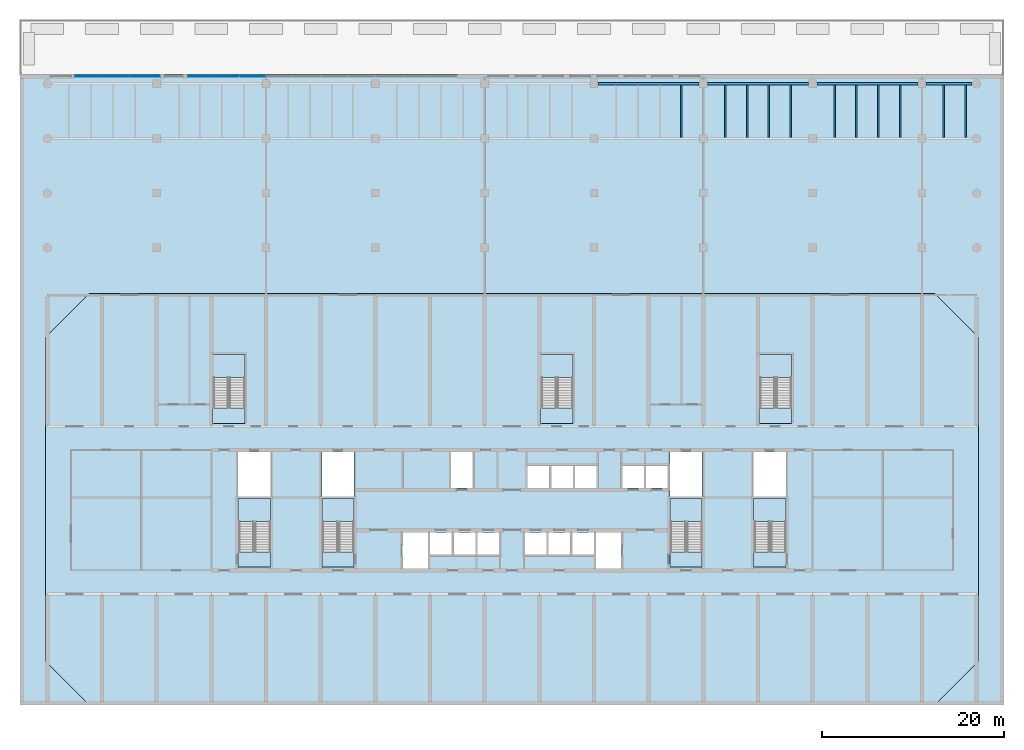
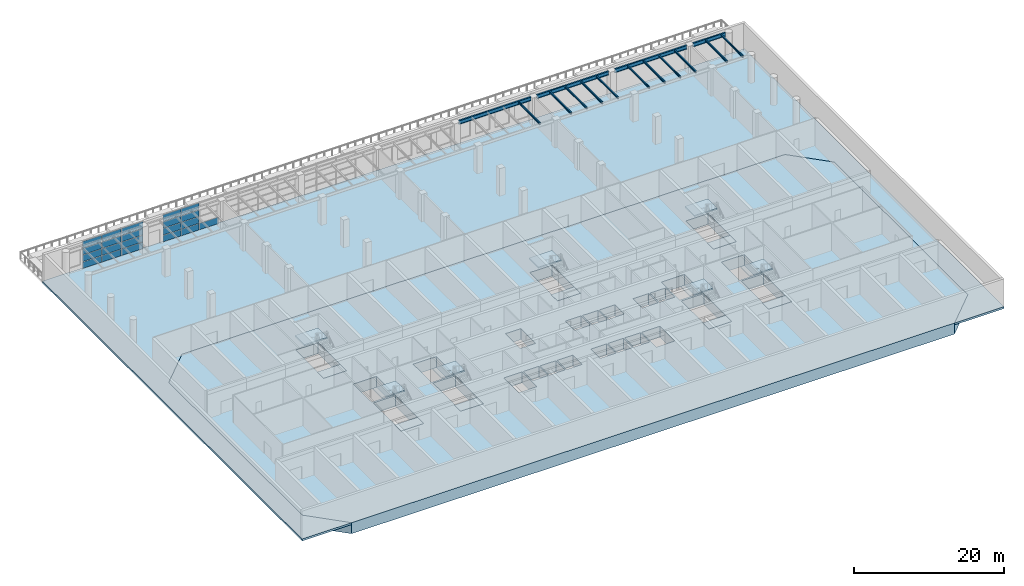
# One storey, part 4 of 20: 21 plates, 16 slabs, 15 beams, 11 elements without a shape of their own.
"""IFC4 building model written with IfcOpenShell, lengths in metres."""

import ifcopenshell
import ifcopenshell.guid

model = None  # the IFC model being written
_history = None  # IfcOwnerHistory: only IFC2X3 demands one
_inside = {}  # id of a spatial element -> (the spatial element, [elements in it])
_under = {}  # id of a project, library or spatial element -> (it, [spatial elements below it])
_declared = {}  # id of a project -> (the project, [libraries it declares])
_typed = {}  # id of a type object -> (the type object, [elements of that type])
_made_of = {}  # id of a material, layer set ... -> (it, [elements and type objects made of it])


def new_model(schema):
    """Start an empty IFC model of exactly this schema.

    Asked for "IFC4X3", IfcOpenShell would pick the latest addendum, in which some entities
    have other attributes; the version numbers below select the first issue.
    IFC2X3 requires an IfcOwnerHistory on every rooted entity: one is made here for all.
    """
    global model, _history
    if schema == "IFC4X3":
        model = ifcopenshell.file(schema_version=(4, 3, 0, 0))
    else:
        model = ifcopenshell.file(schema=schema)
    _inside.clear()
    _under.clear()
    _declared.clear()
    _typed.clear()
    _made_of.clear()
    _history = None
    if model.schema == "IFC2X3":
        org = make("IfcOrganization", Name="unknown")
        user = make(
            "IfcPersonAndOrganization",
            ThePerson=make("IfcPerson", FamilyName="unknown"),
            TheOrganization=org,
        )
        app = make(
            "IfcApplication",
            ApplicationDeveloper=org,
            Version="unknown",
            ApplicationFullName="unknown",
            ApplicationIdentifier="unknown",
        )
        _history = make(
            "IfcOwnerHistory",
            OwningUser=user,
            OwningApplication=app,
            ChangeAction="ADDED",
            CreationDate=0,
        )
    return model


def make(cls, **values):
    """One entity of the class cls with the attributes given. An attribute that is None is left unset."""
    return model.create_entity(
        cls, **{name: value for name, value in values.items() if value is not None}
    )


def rooted(cls, **values):
    """An entity with a GlobalId (a new one), such as an element, a storey or a relation."""
    return make(cls, GlobalId=ifcopenshell.guid.new(), OwnerHistory=_history, **values)


def si_unit(unit_type, name, prefix=None):
    """IfcSIUnit, for example si_unit("LENGTHUNIT", "METRE", prefix="MILLI")."""
    return make("IfcSIUnit", UnitType=unit_type, Prefix=prefix, Name=name)


def assignment(units):
    """IfcUnitAssignment: the units of a project."""
    return None if units is None else make("IfcUnitAssignment", Units=units)


def point(xyz):
    """IfcCartesianPoint."""
    return None if xyz is None else make("IfcCartesianPoint", Coordinates=xyz)


def direction(xyz):
    """IfcDirection."""
    return None if xyz is None else make("IfcDirection", DirectionRatios=xyz)


def frame(location, z_axis=None, x_axis=None):
    """IfcAxis2Placement3D, a coordinate frame: its origin and axes. An axis left out is left unset."""
    return make(
        "IfcAxis2Placement3D",
        Location=point(location),
        Axis=direction(z_axis),
        RefDirection=direction(x_axis),
    )


def frame_2d(location, x_axis=None):
    """IfcAxis2Placement2D, a coordinate frame in the plane: its origin and x axis."""
    return make(
        "IfcAxis2Placement2D", Location=point(location), RefDirection=direction(x_axis)
    )


def origin():
    """The frame at (0, 0, 0) with its axes left unset."""
    return frame((0.0, 0.0, 0.0))


def origin_2d():
    """The frame at (0, 0) in the plane with its x axis left unset."""
    return frame_2d((0.0, 0.0))


def place(relative_to, where):
    """IfcLocalPlacement: puts the frame where relative to a parent placement (None: the world)."""
    return make(
        "IfcLocalPlacement", PlacementRelTo=relative_to, RelativePlacement=where
    )


def context(
    kind, dimensions, precision=None, world=None, true_north=None, identifier=None
):
    """IfcGeometricRepresentationContext, for example the 3D "Model" context."""
    return make(
        "IfcGeometricRepresentationContext",
        ContextIdentifier=identifier,
        ContextType=kind,
        CoordinateSpaceDimension=dimensions,
        Precision=precision,
        WorldCoordinateSystem=world,
        TrueNorth=true_north,
    )


def subcontext(parent, identifier, kind, view, scale=None):
    """IfcGeometricRepresentationSubContext, for example "Body" below "Model"."""
    return make(
        "IfcGeometricRepresentationSubContext",
        ContextIdentifier=identifier,
        ContextType=kind,
        ParentContext=parent,
        TargetScale=scale,
        TargetView=view,
    )


def project(units=None, contexts=None):
    """IfcProject with its units and contexts."""
    return rooted(
        "IfcProject",
        Name="project",
        RepresentationContexts=contexts,
        UnitsInContext=assignment(units),
    )


def spatial(cls, under=None, at=None, **own):
    """A site, building, storey or space (cls), placed at a placement, below another one or the project."""
    s = rooted(cls, ObjectPlacement=at, **own)
    if under is not None:
        _under.setdefault(under.id(), (under, []))[1].append(s)
    return s


def polyline(points):
    """IfcPolyline through the points."""
    return make("IfcPolyline", Points=[point(p) for p in points])


def profile(cls, at=None, kind="AREA", **sizes):
    """A parametric profile (cls). Its sizes go by their IFC names, for example OverallWidth=200.0."""
    return make(cls, ProfileType=kind, Position=at, **sizes)


def rectangle(**sizes):
    """IfcRectangleProfileDef."""
    return profile("IfcRectangleProfileDef", **sizes)


def i_section(**sizes):
    """IfcIShapeProfileDef."""
    return profile("IfcIShapeProfileDef", **sizes)


def outline(outer, holes=None, kind="AREA"):
    """IfcArbitraryClosedProfileDef: a profile drawn as a closed curve; with holes, ...WithVoids."""
    if holes is None:
        return make("IfcArbitraryClosedProfileDef", ProfileType=kind, OuterCurve=outer)
    return make(
        "IfcArbitraryProfileDefWithVoids",
        ProfileType=kind,
        OuterCurve=outer,
        InnerCurves=holes,
    )


def extrude(swept, where, along, depth):
    """IfcExtrudedAreaSolid: the profile swept, set in the frame where, extruded along a direction by depth."""
    return make(
        "IfcExtrudedAreaSolid",
        SweptArea=swept,
        Position=where,
        ExtrudedDirection=direction(along),
        Depth=depth,
    )


def shape(context_of_items, identifier, shape_type, items):
    """IfcShapeRepresentation: the items that make up one representation, for example the "Body"."""
    return make(
        "IfcShapeRepresentation",
        ContextOfItems=context_of_items,
        RepresentationIdentifier=identifier,
        RepresentationType=shape_type,
        Items=items,
    )


def source(mapping_origin, context_of_items, identifier, shape_type, items):
    """IfcRepresentationMap: a shape defined once, which mapped items show again and again."""
    return make(
        "IfcRepresentationMap",
        MappingOrigin=mapping_origin,
        MappedRepresentation=shape(context_of_items, identifier, shape_type, items),
    )


def transform(
    local_origin,
    x_axis=None,
    y_axis=None,
    z_axis=None,
    scale=None,
    scale2=None,
    scale3=None,
    uniform=True,
):
    """IfcCartesianTransformationOperator3D, or its non-uniform kind. x_axis, y_axis, z_axis: its Axis1, 2, 3."""
    if uniform:
        return make(
            "IfcCartesianTransformationOperator3D",
            Axis1=direction(x_axis),
            Axis2=direction(y_axis),
            LocalOrigin=point(local_origin),
            Scale=scale,
            Axis3=direction(z_axis),
        )
    return make(
        "IfcCartesianTransformationOperator3DnonUniform",
        Axis1=direction(x_axis),
        Axis2=direction(y_axis),
        LocalOrigin=point(local_origin),
        Scale=scale,
        Axis3=direction(z_axis),
        Scale2=scale2,
        Scale3=scale3,
    )


def mapped(mapping_source, mapping_target):
    """IfcMappedItem: shows the shape of a source again, moved by a transform."""
    return make(
        "IfcMappedItem", MappingSource=mapping_source, MappingTarget=mapping_target
    )


def material(Name=None, Category=None):
    """IfcMaterial."""
    return make("IfcMaterial", Name=Name, Category=Category)


def layer(
    of_material, thickness, ventilated=None, Name=None, Category=None, Priority=None
):
    """IfcMaterialLayer: one layer of a wall or slab, of a material (None: an air gap)."""
    return make(
        "IfcMaterialLayer",
        Material=of_material,
        LayerThickness=thickness,
        IsVentilated=ventilated,
        Name=Name,
        Category=Category,
        Priority=Priority,
    )


def layer_set(layers, Name=None):
    """IfcMaterialLayerSet."""
    return make("IfcMaterialLayerSet", MaterialLayers=layers, LayerSetName=Name)


def material_profile(
    of_material, cross_section, Name=None, Category=None, Priority=None
):
    """IfcMaterialProfile: a cross section and its material."""
    return make(
        "IfcMaterialProfile",
        Name=Name,
        Material=of_material,
        Profile=cross_section,
        Priority=Priority,
        Category=Category,
    )


def profile_set(profiles, Name=None, composite=None):
    """IfcMaterialProfileSet."""
    return make(
        "IfcMaterialProfileSet",
        Name=Name,
        MaterialProfiles=profiles,
        CompositeProfile=composite,
    )


def made_of(thing, what):
    """Note that an element or type object is made of a material, layer set ...; save() writes the relation."""
    if what is not None:
        _made_of.setdefault(what.id(), (what, []))[1].append(thing)
    return thing


def type_object(cls, material=None, **own):
    """A type object (cls), such as IfcWallType, which elements share."""
    return made_of(rooted(cls, **own), material)


def element(
    cls,
    number,
    at=None,
    inside=None,
    cuts=None,
    type_object=None,
    material=None,
    context=None,
    identifier="Body",
    shape_type=None,
    held_by="IfcProductDefinitionShape",
    body=None,
    shapes=None,
    **own,
):
    """One element of the class cls, such as IfcWall. Its Tag is "e" and its number.

    at: its placement. inside: the storey or other place that contains it. cuts: it is an
    opening in that element (IfcRelVoidsElement). A single representation is given by context,
    identifier, shape_type and body (its items); several are given by shapes. held_by: the class
    of the entity that holds the representations. save() writes the other relations.
    """
    e = rooted(cls, Tag="e%d" % number, ObjectPlacement=at, **own)
    if body is not None:
        shapes = [shape(context, identifier, shape_type, body)]
    if shapes is not None:
        e.Representation = make(held_by, Representations=shapes)
    if inside is not None:
        _inside.setdefault(inside.id(), (inside, []))[1].append(e)
    if cuts is not None:
        rooted(
            "IfcRelVoidsElement", RelatingBuildingElement=cuts, RelatedOpeningElement=e
        )
    if type_object is not None:
        _typed.setdefault(type_object.id(), (type_object, []))[1].append(e)
    return made_of(e, material)


def aggregate(whole, parts):
    """IfcRelAggregates: a whole, such as a stair, and the parts it consists of."""
    return rooted("IfcRelAggregates", RelatingObject=whole, RelatedObjects=parts)


def save(model, path):
    """Write the relations noted so far, then the file.

    IfcRelAggregates (storeys below a building ...), IfcRelContainedInSpatialStructure (elements
    in a storey), IfcRelDefinesByType, IfcRelAssociatesMaterial and IfcRelDeclares: one each for
    every whole, place, type object, material and project.
    """
    for whole, parts in _under.values():
        aggregate(whole, parts)
    for where, things in _inside.values():
        rooted(
            "IfcRelContainedInSpatialStructure",
            RelatedElements=things,
            RelatingStructure=where,
        )
    for kind, things in _typed.values():
        rooted("IfcRelDefinesByType", RelatedObjects=things, RelatingType=kind)
    for what, things in _made_of.values():
        rooted("IfcRelAssociatesMaterial", RelatedObjects=things, RelatingMaterial=what)
    for by, libraries in _declared.values():
        rooted("IfcRelDeclares", RelatingContext=by, RelatedDefinitions=libraries)
    model.write(path)


model = new_model("IFC4")

# Units and contexts
model_context = context("Model", 3, precision=1e-05, world=origin(), true_north=direction((0.0, 1.0)))
body_context = subcontext(model_context, "Body", "Model", "MODEL_VIEW")
ifc_project = project(units=[si_unit("LENGTHUNIT", "METRE"), si_unit("AREAUNIT", "SQUARE_METRE"), si_unit("VOLUMEUNIT", "CUBIC_METRE"), si_unit("PLANEANGLEUNIT", "RADIAN"), si_unit("MASSUNIT", "GRAM", prefix="KILO")], contexts=[model_context])

# Site, building, storey
site_placement = place(None, origin())
site = spatial("IfcSite", under=ifc_project, at=site_placement, CompositionType="ELEMENT")
building_placement = place(site_placement, origin())
building = spatial("IfcBuilding", under=site, at=building_placement, Name="Poui Terraces", CompositionType="ELEMENT")
storey_placement = place(building_placement, frame((0.0, 0.0, 6.0)))
storey = spatial("IfcBuildingStorey", under=building, at=storey_placement, Name="L01", CompositionType="ELEMENT", Elevation=6.0)

# Beams
ifc_material_1 = material(Name="Steel Grade 300 MPa", Category="steel")
ifc_material_profile_1 = material_profile(ifc_material_1, i_section(OverallWidth=0.166015625, OverallDepth=0.30712890625, WebThickness=0.006591796875, FlangeThickness=0.01171875, FilletRadius=0.011474609375, at=origin_2d()), Name="310UB46.2")
ifc_profile_set_1 = profile_set([ifc_material_profile_1], Name="Steel Grade 300 MPa")
beam_type_1 = type_object("IfcBeamType", Name="TERRACE BEAM 310UB46.2", PredefinedType="BEAM", material=ifc_profile_set_1)
shared_shape_1 = source(origin(), body_context, "Body", "SweptSolid", [
    extrude(i_section(OverallWidth=0.166015625, OverallDepth=0.30712890625, WebThickness=0.006591796875, FlangeThickness=0.01171875, FilletRadius=0.011474609375, at=origin_2d()), origin(), (0.0, 0.0, 1.0), 5.781005859375),
])
for number, where, z_axis, x_axis, name in (
    (1, (69.60009765625, 62.1044921875, 4.366455078125), (0.0, 1.0, 0.0), (-1.0, 0.0, 0.0), "TERRACE BEAM"),
    (2, (74.39990234375, 62.1044921875, 4.366455078125), (0.0, 1.0, 0.0), (-1.0, 0.0, 0.0), "TERRACE BEAM"),
    (3, (76.800048828125, 62.1044921875, 4.366455078125), (0.0, 1.0, 0.0), (-1.0, 0.0, 0.0), "TERRACE BEAM"),
    (4, (79.199951171875, 62.1044921875, 4.366455078125), (0.0, 1.0, 0.0), (-1.0, 0.0, 0.0), "TERRACE BEAM"),
    (5, (81.60009765625, 62.1044921875, 4.366455078125), (0.0, 1.0, 0.0), (-1.0, 0.0, 0.0), "TERRACE BEAM"),
    (6, (86.39990234375, 62.1044921875, 4.366455078125), (0.0, 1.0, 0.0), (-1.0, 0.0, 0.0), "TERRACE BEAM"),
    (7, (88.800048828125, 62.1044921875, 4.366455078125), (0.0, 1.0, 0.0), (-1.0, 0.0, 0.0), "TERRACE BEAM"),
    (8, (91.199951171875, 62.1044921875, 4.366455078125), (0.0, 1.0, 0.0), (-1.0, 0.0, 0.0), "TERRACE BEAM"),
    (9, (93.60009765625, 62.1044921875, 4.366455078125), (0.0, 1.0, 0.0), (-1.0, 0.0, 0.0), "TERRACE BEAM"),
    (10, (98.39990234375, 62.1044921875, 4.366455078125), (0.0, 1.0, 0.0), (-1.0, 0.0, 0.0), "TERRACE BEAM"),
    (11, (100.800048828125, 62.1044921875, 4.366455078125), (0.0, 1.0, 0.0), (-1.0, 0.0, 0.0), "TERRACE BEAM"),
):
    element("IfcBeam", number, at=place(storey_placement, frame(where, z_axis=z_axis, x_axis=x_axis)), inside=storey, type_object=beam_type_1, Name=name, PredefinedType="BEAM", context=body_context, shape_type="MappedRepresentation", body=[
        mapped(shared_shape_1, transform((0.0, 0.0, 0.0))),
    ])
ifc_material_profile_2 = material_profile(ifc_material_1, i_section(OverallWidth=0.22900390625, OverallDepth=0.611572265625, WebThickness=0.011962890625, FlangeThickness=0.01953125, FilletRadius=0.013916015625, at=origin_2d()), Name="610UB125")
ifc_profile_set_2 = profile_set([ifc_material_profile_2], Name="Steel Grade 300 MPa")
beam_type_2 = type_object("IfcBeamType", Name="TERRACE GIRDER 610UB125", PredefinedType="BEAM", material=ifc_profile_set_2)
shared_shape_2 = source(origin(), body_context, "Body", "SweptSolid", [
    extrude(i_section(OverallWidth=0.22900390625, OverallDepth=0.611572265625, WebThickness=0.011962890625, FlangeThickness=0.01953125, FilletRadius=0.013916015625, at=origin_2d()), origin(), (0.0, 0.0, 1.0), 11.10009765625),
])
for number, where, z_axis, x_axis, name in (
    (12, (60.449951171875, 68.0, 4.214111328125), (1.0, 0.0, 0.0), (0.0, 1.0, 0.0), "TERRACE GIRDER"),
    (13, (72.449951171875, 68.0, 4.214111328125), (1.0, 0.0, 0.0), (0.0, 1.0, 0.0), "TERRACE GIRDER"),
    (14, (84.449951171875, 68.0, 4.214111328125), (1.0, 0.0, 0.0), (0.0, 1.0, 0.0), "TERRACE GIRDER"),
):
    element("IfcBeam", number, at=place(storey_placement, frame(where, z_axis=z_axis, x_axis=x_axis)), inside=storey, type_object=beam_type_2, Name=name, PredefinedType="BEAM", context=body_context, shape_type="MappedRepresentation", body=[
        mapped(shared_shape_2, transform((0.0, 0.0, 0.0))),
    ])
shared_shape_3 = source(origin(), body_context, "Body", "SweptSolid", [
    extrude(i_section(OverallWidth=0.22900390625, OverallDepth=0.611572265625, WebThickness=0.011962890625, FlangeThickness=0.01953125, FilletRadius=0.013916015625, at=origin_2d()), origin(), (0.0, 0.0, 1.0), 5.050048828125),
])
beam_placement = place(storey_placement, frame((96.449951171875, 68.0, 4.214111328125), z_axis=(1.0, 0.0, 0.0), x_axis=(0.0, 1.0, 0.0)))
element("IfcBeam", 15, at=beam_placement, inside=storey, type_object=beam_type_2, Name="TERRACE GIRDER", PredefinedType="BEAM", context=body_context, shape_type="MappedRepresentation", body=[
    mapped(shared_shape_3, transform((0.0, 0.0, 0.0))),
])

# Curtain wall, plates
ifc_material_2 = material(Name="Clear glass", Category="glass")
ifc_layer_1 = layer(ifc_material_2, 0.199951171875)
ifc_layer_set_1 = layer_set([ifc_layer_1], Name="Clear glass")
curtain_wall_type = type_object("IfcCurtainWallType", Name="CURTAIN WALL CW-A HEALTH CENTRE FRONTAGE", PredefinedType="NOTDEFINED", material=ifc_layer_set_1)
curtain_wall_1_placement = place(storey_placement, origin())
curtain_wall_1 = element("IfcCurtainWall", 16, at=curtain_wall_1_placement, inside=storey, type_object=curtain_wall_type, Name="CW-A HEALTH CENTRE FRONTAGE", PredefinedType="NOTDEFINED")
ifc_layer_2 = layer(ifc_material_2, 0.031982421875)
ifc_layer_set_2 = layer_set([ifc_layer_2], Name="Clear glass")
plate_type = type_object("IfcPlateType", Name="CW-A GLASS PANEL 32", PredefinedType="CURTAIN_PANEL", material=ifc_layer_set_2)
plate_1_placement = place(storey_placement, frame((7.485107421875, 68.800048828125, 0.06005859375), z_axis=(0.0, 0.0, 1.0), x_axis=(-1.0, 0.0, 0.0)))
plate_1 = element("IfcPlate", 17, at=plate_1_placement, type_object=plate_type, Name="CW-A panel 1.1", PredefinedType="CURTAIN_PANEL", context=body_context, shape_type="SweptSolid", body=[
    extrude(rectangle(XDim=2.909912109375, YDim=0.031982421875, at=origin_2d()), origin(), (0.0, 0.0, 1.0), 1.0400390625),
])
plate_2_placement = place(storey_placement, frame((7.485107421875, 68.800048828125, 1.16015625), z_axis=(0.0, 0.0, 1.0), x_axis=(-1.0, 0.0, 0.0)))
plate_2 = element("IfcPlate", 18, at=plate_2_placement, type_object=plate_type, Name="CW-A panel 1.2", PredefinedType="CURTAIN_PANEL", context=body_context, shape_type="SweptSolid", body=[
    extrude(rectangle(XDim=2.909912109375, YDim=0.031982421875, at=origin_2d()), origin(), (0.0, 0.0, 1.0), 1.070068359375),
])
plate_3_placement = place(storey_placement, frame((7.485107421875, 68.800048828125, 2.2900390625), z_axis=(0.0, 0.0, 1.0), x_axis=(-1.0, 0.0, 0.0)))
plate_3 = element("IfcPlate", 19, at=plate_3_placement, type_object=plate_type, Name="CW-A panel 1.3", PredefinedType="CURTAIN_PANEL", context=body_context, shape_type="SweptSolid", body=[
    extrude(rectangle(XDim=2.909912109375, YDim=0.031982421875, at=origin_2d()), origin(), (0.0, 0.0, 1.0), 1.070068359375),
])
plate_4_placement = place(storey_placement, frame((7.485107421875, 68.800048828125, 3.419921875), z_axis=(0.0, 0.0, 1.0), x_axis=(-1.0, 0.0, 0.0)))
plate_4 = element("IfcPlate", 20, at=plate_4_placement, type_object=plate_type, Name="CW-A panel 1.4", PredefinedType="CURTAIN_PANEL", context=body_context, shape_type="SweptSolid", body=[
    extrude(rectangle(XDim=2.909912109375, YDim=0.031982421875, at=origin_2d()), origin(), (0.0, 0.0, 1.0), 1.0400390625),
])
plate_5_placement = place(storey_placement, frame((4.514892578125, 68.800048828125, 0.06005859375), z_axis=(0.0, 0.0, 1.0), x_axis=(-1.0, 0.0, 0.0)))
plate_5 = element("IfcPlate", 21, at=plate_5_placement, type_object=plate_type, Name="CW-A panel 2.1", PredefinedType="CURTAIN_PANEL", context=body_context, shape_type="SweptSolid", body=[
    extrude(rectangle(XDim=2.909912109375, YDim=0.031982421875, at=origin_2d()), origin(), (0.0, 0.0, 1.0), 1.0400390625),
])
plate_6_placement = place(storey_placement, frame((4.514892578125, 68.800048828125, 1.16015625), z_axis=(0.0, 0.0, 1.0), x_axis=(-1.0, 0.0, 0.0)))
plate_6 = element("IfcPlate", 22, at=plate_6_placement, type_object=plate_type, Name="CW-A panel 2.2", PredefinedType="CURTAIN_PANEL", context=body_context, shape_type="SweptSolid", body=[
    extrude(rectangle(XDim=2.909912109375, YDim=0.031982421875, at=origin_2d()), origin(), (0.0, 0.0, 1.0), 1.070068359375),
])
plate_7_placement = place(storey_placement, frame((4.514892578125, 68.800048828125, 2.2900390625), z_axis=(0.0, 0.0, 1.0), x_axis=(-1.0, 0.0, 0.0)))
plate_7 = element("IfcPlate", 23, at=plate_7_placement, type_object=plate_type, Name="CW-A panel 2.3", PredefinedType="CURTAIN_PANEL", context=body_context, shape_type="SweptSolid", body=[
    extrude(rectangle(XDim=2.909912109375, YDim=0.031982421875, at=origin_2d()), origin(), (0.0, 0.0, 1.0), 1.070068359375),
])
plate_8_placement = place(storey_placement, frame((4.514892578125, 68.800048828125, 3.419921875), z_axis=(0.0, 0.0, 1.0), x_axis=(-1.0, 0.0, 0.0)))
plate_8 = element("IfcPlate", 24, at=plate_8_placement, type_object=plate_type, Name="CW-A panel 2.4", PredefinedType="CURTAIN_PANEL", context=body_context, shape_type="SweptSolid", body=[
    extrude(rectangle(XDim=2.909912109375, YDim=0.031982421875, at=origin_2d()), origin(), (0.0, 0.0, 1.0), 1.0400390625),
])
aggregate(curtain_wall_1, [plate_1, plate_2, plate_3, plate_4, plate_5, plate_6, plate_7, plate_8])

curtain_wall_2_placement = place(storey_placement, origin())
curtain_wall_2 = element("IfcCurtainWall", 25, at=curtain_wall_2_placement, inside=storey, type_object=curtain_wall_type, Name="CW-A HEALTH CENTRE FRONTAGE", PredefinedType="NOTDEFINED")
plate_9_placement = place(storey_placement, frame((10.68994140625, 68.800048828125, 0.06005859375), z_axis=(0.0, 0.0, 1.0), x_axis=(-1.0, 0.0, 0.0)))
plate_9 = element("IfcPlate", 26, at=plate_9_placement, type_object=plate_type, Name="CW-A panel 1.1", PredefinedType="CURTAIN_PANEL", context=body_context, shape_type="SweptSolid", body=[
    extrude(rectangle(XDim=3.260009765625, YDim=0.031982421875, at=origin_2d()), origin(), (0.0, 0.0, 1.0), 1.0400390625),
])
plate_10_placement = place(storey_placement, frame((10.68994140625, 68.800048828125, 1.16015625), z_axis=(0.0, 0.0, 1.0), x_axis=(-1.0, 0.0, 0.0)))
plate_10 = element("IfcPlate", 27, at=plate_10_placement, type_object=plate_type, Name="CW-A panel 1.2", PredefinedType="CURTAIN_PANEL", context=body_context, shape_type="SweptSolid", body=[
    extrude(rectangle(XDim=3.260009765625, YDim=0.031982421875, at=origin_2d()), origin(), (0.0, 0.0, 1.0), 1.070068359375),
])
plate_11_placement = place(storey_placement, frame((10.68994140625, 68.800048828125, 2.2900390625), z_axis=(0.0, 0.0, 1.0), x_axis=(-1.0, 0.0, 0.0)))
plate_11 = element("IfcPlate", 28, at=plate_11_placement, type_object=plate_type, Name="CW-A panel 1.3", PredefinedType="CURTAIN_PANEL", context=body_context, shape_type="SweptSolid", body=[
    extrude(rectangle(XDim=3.260009765625, YDim=0.031982421875, at=origin_2d()), origin(), (0.0, 0.0, 1.0), 1.070068359375),
])
plate_12_placement = place(storey_placement, frame((10.68994140625, 68.800048828125, 3.419921875), z_axis=(0.0, 0.0, 1.0), x_axis=(-1.0, 0.0, 0.0)))
plate_12 = element("IfcPlate", 29, at=plate_12_placement, type_object=plate_type, Name="CW-A panel 1.4", PredefinedType="CURTAIN_PANEL", context=body_context, shape_type="SweptSolid", body=[
    extrude(rectangle(XDim=3.260009765625, YDim=0.031982421875, at=origin_2d()), origin(), (0.0, 0.0, 1.0), 1.0400390625),
])
aggregate(curtain_wall_2, [plate_9, plate_10, plate_11, plate_12])

curtain_wall_3_placement = place(storey_placement, origin())
curtain_wall_3 = element("IfcCurtainWall", 30, at=curtain_wall_3_placement, inside=storey, type_object=curtain_wall_type, Name="CW-A HEALTH CENTRE FRONTAGE", PredefinedType="NOTDEFINED")
plate_13_placement = place(storey_placement, frame((19.580078125, 68.800048828125, 0.06005859375), z_axis=(0.0, 0.0, 1.0), x_axis=(-1.0, 0.0, 0.0)))
plate_13 = element("IfcPlate", 31, at=plate_13_placement, type_object=plate_type, Name="CW-A panel 1.1", PredefinedType="CURTAIN_PANEL", context=body_context, shape_type="SweptSolid", body=[
    extrude(rectangle(XDim=2.719970703125, YDim=0.031982421875, at=origin_2d()), origin(), (0.0, 0.0, 1.0), 1.0400390625),
])
plate_14_placement = place(storey_placement, frame((19.580078125, 68.800048828125, 1.16015625), z_axis=(0.0, 0.0, 1.0), x_axis=(-1.0, 0.0, 0.0)))
plate_14 = element("IfcPlate", 32, at=plate_14_placement, type_object=plate_type, Name="CW-A panel 1.2", PredefinedType="CURTAIN_PANEL", context=body_context, shape_type="SweptSolid", body=[
    extrude(rectangle(XDim=2.719970703125, YDim=0.031982421875, at=origin_2d()), origin(), (0.0, 0.0, 1.0), 1.070068359375),
])
plate_15_placement = place(storey_placement, frame((19.580078125, 68.800048828125, 2.2900390625), z_axis=(0.0, 0.0, 1.0), x_axis=(-1.0, 0.0, 0.0)))
plate_15 = element("IfcPlate", 33, at=plate_15_placement, type_object=plate_type, Name="CW-A panel 1.3", PredefinedType="CURTAIN_PANEL", context=body_context, shape_type="SweptSolid", body=[
    extrude(rectangle(XDim=2.719970703125, YDim=0.031982421875, at=origin_2d()), origin(), (0.0, 0.0, 1.0), 1.070068359375),
])
plate_16_placement = place(storey_placement, frame((19.580078125, 68.800048828125, 3.419921875), z_axis=(0.0, 0.0, 1.0), x_axis=(-1.0, 0.0, 0.0)))
plate_16 = element("IfcPlate", 34, at=plate_16_placement, type_object=plate_type, Name="CW-A panel 1.4", PredefinedType="CURTAIN_PANEL", context=body_context, shape_type="SweptSolid", body=[
    extrude(rectangle(XDim=2.719970703125, YDim=0.031982421875, at=origin_2d()), origin(), (0.0, 0.0, 1.0), 1.0400390625),
])
plate_17_placement = place(storey_placement, frame((16.800048828125, 68.800048828125, 0.06005859375), z_axis=(0.0, 0.0, 1.0), x_axis=(-1.0, 0.0, 0.0)))
plate_17 = element("IfcPlate", 35, at=plate_17_placement, type_object=plate_type, Name="CW-A panel 2.1", PredefinedType="CURTAIN_PANEL", context=body_context, shape_type="SweptSolid", body=[
    extrude(rectangle(XDim=2.719970703125, YDim=0.031982421875, at=origin_2d()), origin(), (0.0, 0.0, 1.0), 1.0400390625),
])
plate_18_placement = place(storey_placement, frame((16.800048828125, 68.800048828125, 1.16015625), z_axis=(0.0, 0.0, 1.0), x_axis=(-1.0, 0.0, 0.0)))
plate_18 = element("IfcPlate", 36, at=plate_18_placement, type_object=plate_type, Name="CW-A panel 2.2", PredefinedType="CURTAIN_PANEL", context=body_context, shape_type="SweptSolid", body=[
    extrude(rectangle(XDim=2.719970703125, YDim=0.031982421875, at=origin_2d()), origin(), (0.0, 0.0, 1.0), 1.070068359375),
])
plate_19_placement = place(storey_placement, frame((16.800048828125, 68.800048828125, 2.2900390625), z_axis=(0.0, 0.0, 1.0), x_axis=(-1.0, 0.0, 0.0)))
plate_19 = element("IfcPlate", 37, at=plate_19_placement, type_object=plate_type, Name="CW-A panel 2.3", PredefinedType="CURTAIN_PANEL", context=body_context, shape_type="SweptSolid", body=[
    extrude(rectangle(XDim=2.719970703125, YDim=0.031982421875, at=origin_2d()), origin(), (0.0, 0.0, 1.0), 1.070068359375),
])
plate_20_placement = place(storey_placement, frame((16.800048828125, 68.800048828125, 3.419921875), z_axis=(0.0, 0.0, 1.0), x_axis=(-1.0, 0.0, 0.0)))
plate_20 = element("IfcPlate", 38, at=plate_20_placement, type_object=plate_type, Name="CW-A panel 2.4", PredefinedType="CURTAIN_PANEL", context=body_context, shape_type="SweptSolid", body=[
    extrude(rectangle(XDim=2.719970703125, YDim=0.031982421875, at=origin_2d()), origin(), (0.0, 0.0, 1.0), 1.0400390625),
])
aggregate(curtain_wall_3, [plate_13, plate_14, plate_15, plate_16, plate_17, plate_18, plate_19, plate_20])

# Curtain wall, plate
curtain_wall_4_placement = place(storey_placement, origin())
curtain_wall_4 = element("IfcCurtainWall", 39, at=curtain_wall_4_placement, inside=storey, type_object=curtain_wall_type, Name="CW-A HEALTH CENTRE FRONTAGE", PredefinedType="NOTDEFINED")
plate_21_placement = place(storey_placement, frame((22.514892578125, 68.800048828125, 0.06005859375), z_axis=(0.0, 0.0, 1.0), x_axis=(-1.0, 0.0, 0.0)))
plate_21 = element("IfcPlate", 40, at=plate_21_placement, type_object=plate_type, Name="CW-A panel 2.1", PredefinedType="CURTAIN_PANEL", context=body_context, shape_type="SweptSolid", body=[
    extrude(rectangle(XDim=2.909912109375, YDim=0.031982421875, at=origin_2d()), origin(), (0.0, 0.0, 1.0), 1.0400390625),
])
aggregate(curtain_wall_4, [plate_21])

# Stair, slabs
ifc_material_3 = material(Name="Concrete 80 MPa", Category="concrete")
stair_type = type_object("IfcStairType", Name="EXIT STAIR 1650 80 MPA", PredefinedType="HALF_TURN_STAIR", material=ifc_material_3)
stair_1_placement = place(storey_placement, origin())
stair_1 = element("IfcStair", 41, at=stair_1_placement, inside=storey, type_object=stair_type, Name="L01 CORE STAIR EAST", PredefinedType="HALF_TURN_STAIR")
ifc_layer_3 = layer(ifc_material_3, 0.199951171875)
ifc_layer_set_3 = layer_set([ifc_layer_3], Name="Concrete 80 MPa")
slab_type_1 = type_object("IfcSlabType", Name="STAIR LANDING 200 80 MPA", PredefinedType="LANDING", material=ifc_layer_set_3)
slab_1_placement = place(storey_placement, frame((0.0, 0.0, 2.199951171875)))
slab_1 = element("IfcSlab", 42, at=slab_1_placement, type_object=slab_type_1, Name="ST-CE landing 1", PredefinedType="LANDING", context=body_context, shape_type="SweptSolid", body=[
    extrude(outline(polyline([(68.324951171875, 19.9599609375), (71.875, 19.9599609375), (71.875, 22.47509765625), (68.324951171875, 22.47509765625), (68.324951171875, 19.9599609375)])), origin(), (0.0, 0.0, 1.0), 0.199951171875),
])
slab_2_placement = place(storey_placement, frame((0.0, 0.0, -0.2001953125)))
slab_2 = element("IfcSlab", 43, at=slab_2_placement, type_object=slab_type_1, Name="ST-CE landing 2", PredefinedType="LANDING", context=body_context, shape_type="SweptSolid", body=[
    extrude(outline(polyline([(68.324951171875, 14.949951171875), (71.875, 14.949951171875), (71.875, 16.60009765625), (68.324951171875, 16.60009765625), (68.324951171875, 14.949951171875)])), origin(), (0.0, 0.0, 1.0), 0.2001953125),
])
aggregate(stair_1, [slab_1, slab_2])

stair_2_placement = place(storey_placement, origin())
stair_2 = element("IfcStair", 44, at=stair_2_placement, inside=storey, type_object=stair_type, Name="L01 CORE STAIR WEST", PredefinedType="HALF_TURN_STAIR")
slab_3_placement = place(storey_placement, frame((0.0, 0.0, 2.199951171875)))
slab_3 = element("IfcSlab", 45, at=slab_3_placement, type_object=slab_type_1, Name="ST-CW landing 1", PredefinedType="LANDING", context=body_context, shape_type="SweptSolid", body=[
    extrude(outline(polyline([(30.125, 19.9599609375), (33.675048828125, 19.9599609375), (33.675048828125, 22.47509765625), (30.125, 22.47509765625), (30.125, 19.9599609375)])), origin(), (0.0, 0.0, 1.0), 0.199951171875),
])
slab_4_placement = place(storey_placement, frame((0.0, 0.0, -0.2001953125)))
slab_4 = element("IfcSlab", 46, at=slab_4_placement, type_object=slab_type_1, Name="ST-CW landing 2", PredefinedType="LANDING", context=body_context, shape_type="SweptSolid", body=[
    extrude(outline(polyline([(30.125, 14.949951171875), (33.675048828125, 14.949951171875), (33.675048828125, 16.60009765625), (30.125, 16.60009765625), (30.125, 14.949951171875)])), origin(), (0.0, 0.0, 1.0), 0.2001953125),
])
aggregate(stair_2, [slab_3, slab_4])

stair_3_placement = place(storey_placement, origin())
stair_3 = element("IfcStair", 47, at=stair_3_placement, inside=storey, type_object=stair_type, Name="L01 TIP STAIR EAST", PredefinedType="HALF_TURN_STAIR")
slab_5_placement = place(storey_placement, frame((0.0, 0.0, 2.199951171875)))
slab_5 = element("IfcSlab", 48, at=slab_5_placement, type_object=slab_type_1, Name="ST-E landing 1", PredefinedType="LANDING", context=body_context, shape_type="SweptSolid", body=[
    extrude(outline(polyline([(77.52490234375, 19.9599609375), (81.074951171875, 19.9599609375), (81.074951171875, 22.47509765625), (77.52490234375, 22.47509765625), (77.52490234375, 19.9599609375)])), origin(), (0.0, 0.0, 1.0), 0.199951171875),
])
slab_6_placement = place(storey_placement, frame((0.0, 0.0, -0.2001953125)))
slab_6 = element("IfcSlab", 49, at=slab_6_placement, type_object=slab_type_1, Name="ST-E landing 2", PredefinedType="LANDING", context=body_context, shape_type="SweptSolid", body=[
    extrude(outline(polyline([(77.52490234375, 14.949951171875), (81.074951171875, 14.949951171875), (81.074951171875, 16.60009765625), (77.52490234375, 16.60009765625), (77.52490234375, 14.949951171875)])), origin(), (0.0, 0.0, 1.0), 0.2001953125),
])
aggregate(stair_3, [slab_5, slab_6])

stair_4_placement = place(storey_placement, origin())
stair_4 = element("IfcStair", 50, at=stair_4_placement, inside=storey, type_object=stair_type, Name="L01 TIP STAIR WEST", PredefinedType="HALF_TURN_STAIR")
slab_7_placement = place(storey_placement, frame((0.0, 0.0, 2.199951171875)))
slab_7 = element("IfcSlab", 51, at=slab_7_placement, type_object=slab_type_1, Name="ST-W landing 1", PredefinedType="LANDING", context=body_context, shape_type="SweptSolid", body=[
    extrude(outline(polyline([(20.925048828125, 19.9599609375), (24.47509765625, 19.9599609375), (24.47509765625, 22.47509765625), (20.925048828125, 22.47509765625), (20.925048828125, 19.9599609375)])), origin(), (0.0, 0.0, 1.0), 0.199951171875),
])
slab_8_placement = place(storey_placement, frame((0.0, 0.0, -0.2001953125)))
slab_8 = element("IfcSlab", 52, at=slab_8_placement, type_object=slab_type_1, Name="ST-W landing 2", PredefinedType="LANDING", context=body_context, shape_type="SweptSolid", body=[
    extrude(outline(polyline([(20.925048828125, 14.949951171875), (24.47509765625, 14.949951171875), (24.47509765625, 16.60009765625), (20.925048828125, 16.60009765625), (20.925048828125, 14.949951171875)])), origin(), (0.0, 0.0, 1.0), 0.2001953125),
])
aggregate(stair_4, [slab_7, slab_8])

stair_5_placement = place(storey_placement, origin())
stair_5 = element("IfcStair", 53, at=stair_5_placement, inside=storey, type_object=stair_type, Name="L01 PODIUM STAIR 1", PredefinedType="HALF_TURN_STAIR")
slab_9_placement = place(storey_placement, frame((0.0, 0.0, 2.199951171875)))
slab_9 = element("IfcSlab", 54, at=slab_9_placement, type_object=slab_type_1, Name="ST-N1 landing 1", PredefinedType="LANDING", context=body_context, shape_type="SweptSolid", body=[
    extrude(outline(polyline([(18.125, 35.760009765625), (21.675048828125, 35.760009765625), (21.675048828125, 38.27490234375), (18.125, 38.27490234375), (18.125, 35.760009765625)])), origin(), (0.0, 0.0, 1.0), 0.199951171875),
])
slab_10_placement = place(storey_placement, frame((0.0, 0.0, -0.2001953125)))
slab_10 = element("IfcSlab", 55, at=slab_10_placement, type_object=slab_type_1, Name="ST-N1 landing 2", PredefinedType="LANDING", context=body_context, shape_type="SweptSolid", body=[
    extrude(outline(polyline([(18.125, 30.699951171875), (21.675048828125, 30.699951171875), (21.675048828125, 32.39990234375), (18.125, 32.39990234375), (18.125, 30.699951171875)])), origin(), (0.0, 0.0, 1.0), 0.2001953125),
])
aggregate(stair_5, [slab_9, slab_10])

stair_6_placement = place(storey_placement, origin())
stair_6 = element("IfcStair", 56, at=stair_6_placement, inside=storey, type_object=stair_type, Name="L01 PODIUM STAIR 2", PredefinedType="HALF_TURN_STAIR")
slab_11_placement = place(storey_placement, frame((0.0, 0.0, 2.199951171875)))
slab_11 = element("IfcSlab", 57, at=slab_11_placement, type_object=slab_type_1, Name="ST-N2 landing 1", PredefinedType="LANDING", context=body_context, shape_type="SweptSolid", body=[
    extrude(outline(polyline([(78.125, 35.760009765625), (81.675048828125, 35.760009765625), (81.675048828125, 38.27490234375), (78.125, 38.27490234375), (78.125, 35.760009765625)])), origin(), (0.0, 0.0, 1.0), 0.199951171875),
])
slab_12_placement = place(storey_placement, frame((0.0, 0.0, -0.2001953125)))
slab_12 = element("IfcSlab", 58, at=slab_12_placement, type_object=slab_type_1, Name="ST-N2 landing 2", PredefinedType="LANDING", context=body_context, shape_type="SweptSolid", body=[
    extrude(outline(polyline([(78.125, 30.699951171875), (81.675048828125, 30.699951171875), (81.675048828125, 32.39990234375), (78.125, 32.39990234375), (78.125, 30.699951171875)])), origin(), (0.0, 0.0, 1.0), 0.2001953125),
])
aggregate(stair_6, [slab_11, slab_12])

stair_7_placement = place(storey_placement, origin())
stair_7 = element("IfcStair", 59, at=stair_7_placement, inside=storey, type_object=stair_type, Name="L01 PODIUM STAIR 3", PredefinedType="HALF_TURN_STAIR")
slab_13_placement = place(storey_placement, frame((0.0, 0.0, 2.199951171875)))
slab_13 = element("IfcSlab", 60, at=slab_13_placement, type_object=slab_type_1, Name="ST-N3 landing 1", PredefinedType="LANDING", context=body_context, shape_type="SweptSolid", body=[
    extrude(outline(polyline([(54.125, 35.760009765625), (57.675048828125, 35.760009765625), (57.675048828125, 38.27490234375), (54.125, 38.27490234375), (54.125, 35.760009765625)])), origin(), (0.0, 0.0, 1.0), 0.199951171875),
])
slab_14_placement = place(storey_placement, frame((0.0, 0.0, -0.2001953125)))
slab_14 = element("IfcSlab", 61, at=slab_14_placement, type_object=slab_type_1, Name="ST-N3 landing 2", PredefinedType="LANDING", context=body_context, shape_type="SweptSolid", body=[
    extrude(outline(polyline([(54.125, 30.699951171875), (57.675048828125, 30.699951171875), (57.675048828125, 32.39990234375), (54.125, 32.39990234375), (54.125, 30.699951171875)])), origin(), (0.0, 0.0, 1.0), 0.2001953125),
])
aggregate(stair_7, [slab_13, slab_14])

# Slabs
ifc_material_4 = material(Name="Concrete 40 MPa", Category="concrete")
ifc_layer_4 = layer(ifc_material_4, 1.800048828125)
ifc_layer_set_4 = layer_set([ifc_layer_4], Name="Concrete 40 MPa")
slab_type_2 = type_object("IfcSlabType", Name="TRANSFER SLAB 1800", PredefinedType="FLOOR", material=ifc_layer_set_4)
shared_shape_4 = source(origin(), body_context, "Body", "SweptSolid", [
    extrude(outline(polyline([(0.0, 0.0), (4.800048828125, -4.800048828125), (97.599853515625, -4.800048828125), (102.39990234375, 0.0), (102.39990234375, 35.599853515625), (97.599853515625, 40.39990234375), (4.800048828125, 40.39990234375), (0.0, 35.599853515625), (0.0, 0.0)]), holes=[polyline([(39.199951171875, 10.224853515625), (39.199951171875, 14.1748046875), (42.0, 14.1748046875), (42.0, 10.224853515625), (39.199951171875, 10.224853515625)]), polyline([(42.199951171875, 14.1748046875), (44.599853515625, 14.1748046875), (44.599853515625, 11.699951171875), (42.199951171875, 11.699951171875), (42.199951171875, 14.1748046875)]), polyline([(44.800048828125, 14.1748046875), (47.199951171875, 14.1748046875), (47.199951171875, 11.699951171875), (44.800048828125, 11.699951171875), (44.800048828125, 14.1748046875)]), polyline([(47.39990234375, 11.699951171875), (47.39990234375, 14.1748046875), (49.800048828125, 14.1748046875), (49.800048828125, 11.699951171875), (47.39990234375, 11.699951171875)]), polyline([(52.599853515625, 14.1748046875), (55.0, 14.1748046875), (55.0, 11.699951171875), (52.599853515625, 11.699951171875), (52.599853515625, 14.1748046875)]), polyline([(24.675048828125, 17.849853515625), (24.675048828125, 12.0), (24.675048828125, 10.349853515625), (21.125, 10.349853515625), (21.125, 12.0), (21.224853515625, 12.0), (21.224853515625, 17.849853515625), (24.675048828125, 17.849853515625)]), polyline([(30.425048828125, 17.849853515625), (33.875, 17.849853515625), (33.875, 12.0), (33.875, 10.349853515625), (30.324951171875, 10.349853515625), (30.324951171875, 12.0), (30.425048828125, 12.0), (30.425048828125, 17.849853515625)]), polyline([(52.89990234375, 21.5), (55.300048828125, 21.5), (55.300048828125, 19.02490234375), (52.89990234375, 19.02490234375), (52.89990234375, 21.5)]), polyline([(21.125, 22.974853515625), (24.675048828125, 22.974853515625), (24.675048828125, 18.125), (21.125, 18.125), (21.125, 22.974853515625)]), polyline([(30.324951171875, 18.125), (30.324951171875, 22.974853515625), (33.875, 22.974853515625), (33.875, 18.125), (30.324951171875, 18.125)]), polyline([(44.5, 22.974853515625), (46.89990234375, 22.974853515625), (46.89990234375, 19.02490234375), (44.5, 19.02490234375), (44.5, 22.974853515625)]), polyline([(21.875, 33.64990234375), (21.875, 27.7998046875), (21.875, 26.099853515625), (18.324951171875, 26.099853515625), (18.324951171875, 27.7998046875), (18.425048828125, 27.7998046875), (18.425048828125, 33.64990234375), (21.875, 33.64990234375)]), polyline([(54.425048828125, 33.64990234375), (57.875, 33.64990234375), (57.875, 27.7998046875), (57.875, 26.099853515625), (54.324951171875, 26.099853515625), (54.324951171875, 27.7998046875), (54.425048828125, 27.7998046875), (54.425048828125, 33.64990234375)]), polyline([(60.39990234375, 14.1748046875), (63.199951171875, 14.1748046875), (63.199951171875, 10.224853515625), (60.39990234375, 10.224853515625), (60.39990234375, 14.1748046875)]), polyline([(55.199951171875, 14.1748046875), (57.599853515625, 14.1748046875), (57.599853515625, 11.699951171875), (55.199951171875, 11.699951171875), (55.199951171875, 14.1748046875)]), polyline([(57.800048828125, 11.699951171875), (57.800048828125, 14.1748046875), (60.199951171875, 14.1748046875), (60.199951171875, 11.699951171875), (57.800048828125, 11.699951171875)]), polyline([(72.074951171875, 17.849853515625), (72.074951171875, 12.0), (72.074951171875, 10.349853515625), (68.52490234375, 10.349853515625), (68.52490234375, 12.0), (68.625, 12.0), (68.625, 17.849853515625), (72.074951171875, 17.849853515625)]), polyline([(81.27490234375, 17.849853515625), (81.27490234375, 12.0), (81.27490234375, 10.349853515625), (77.724853515625, 10.349853515625), (77.724853515625, 12.0), (77.824951171875, 12.0), (77.824951171875, 17.849853515625), (81.27490234375, 17.849853515625)]), polyline([(55.5, 19.02490234375), (55.5, 21.5), (57.89990234375, 21.5), (57.89990234375, 19.02490234375), (55.5, 19.02490234375)]), polyline([(58.099853515625, 21.5), (60.5, 21.5), (60.5, 19.02490234375), (58.099853515625, 19.02490234375), (58.099853515625, 21.5)]), polyline([(63.300048828125, 21.5), (65.699951171875, 21.5), (65.699951171875, 19.02490234375), (63.300048828125, 19.02490234375), (63.300048828125, 21.5)]), polyline([(65.89990234375, 21.5), (68.300048828125, 21.5), (68.300048828125, 19.02490234375), (65.89990234375, 19.02490234375), (65.89990234375, 21.5)]), polyline([(68.52490234375, 22.974853515625), (72.074951171875, 22.974853515625), (72.074951171875, 18.125), (68.52490234375, 18.125), (68.52490234375, 22.974853515625)]), polyline([(77.724853515625, 22.974853515625), (81.27490234375, 22.974853515625), (81.27490234375, 18.125), (77.724853515625, 18.125), (77.724853515625, 22.974853515625)]), polyline([(81.875, 33.64990234375), (81.875, 27.7998046875), (81.875, 26.099853515625), (78.324951171875, 26.099853515625), (78.324951171875, 27.7998046875), (78.425048828125, 27.7998046875), (78.425048828125, 33.64990234375), (81.875, 33.64990234375)])]), origin(), (0.0, 0.0, 1.0), 1.800048828125),
])
slab_15_placement = place(storey_placement, frame((-0.199951171875, 4.60009765625, -1.800048828125)))
element("IfcSlab", 62, at=slab_15_placement, inside=storey, type_object=slab_type_2, Name="TRANSFER SLAB", PredefinedType="FLOOR", context=body_context, shape_type="MappedRepresentation", body=[
    mapped(shared_shape_4, transform((0.0, 0.0, 0.0))),
])
ifc_layer_5 = layer(ifc_material_4, 0.320068359375)
ifc_layer_set_5 = layer_set([ifc_layer_5], Name="Concrete 40 MPa")
slab_type_3 = type_object("IfcSlabType", Name="PODIUM SLAB 320", PredefinedType="FLOOR", material=ifc_layer_set_5)
shared_shape_5 = source(origin(), body_context, "Body", "SweptSolid", [
    extrude(outline(polyline([(0.0, 0.0), (0.0, -69.199951171875), (7.60009765625, -69.199951171875), (2.800048828125, -64.39990234375), (2.800048828125, -28.800048828125), (7.60009765625, -24.0), (100.39990234375, -24.0), (105.199951171875, -28.800048828125), (105.199951171875, -64.39990234375), (100.39990234375, -69.199951171875), (108.0, -69.199951171875), (108.0, 0.0), (0.0, 0.0)])), origin(), (0.0, 0.0, 1.0), 0.320068359375),
])
slab_16_placement = place(storey_placement, frame((-3.0, 69.0, -0.320068359375)))
element("IfcSlab", 63, at=slab_16_placement, inside=storey, type_object=slab_type_3, Name="PODIUM FLOOR SLAB", PredefinedType="FLOOR", context=body_context, shape_type="MappedRepresentation", body=[
    mapped(shared_shape_5, transform((0.0, 0.0, 0.0))),
])

save(model, "model.ifc")
